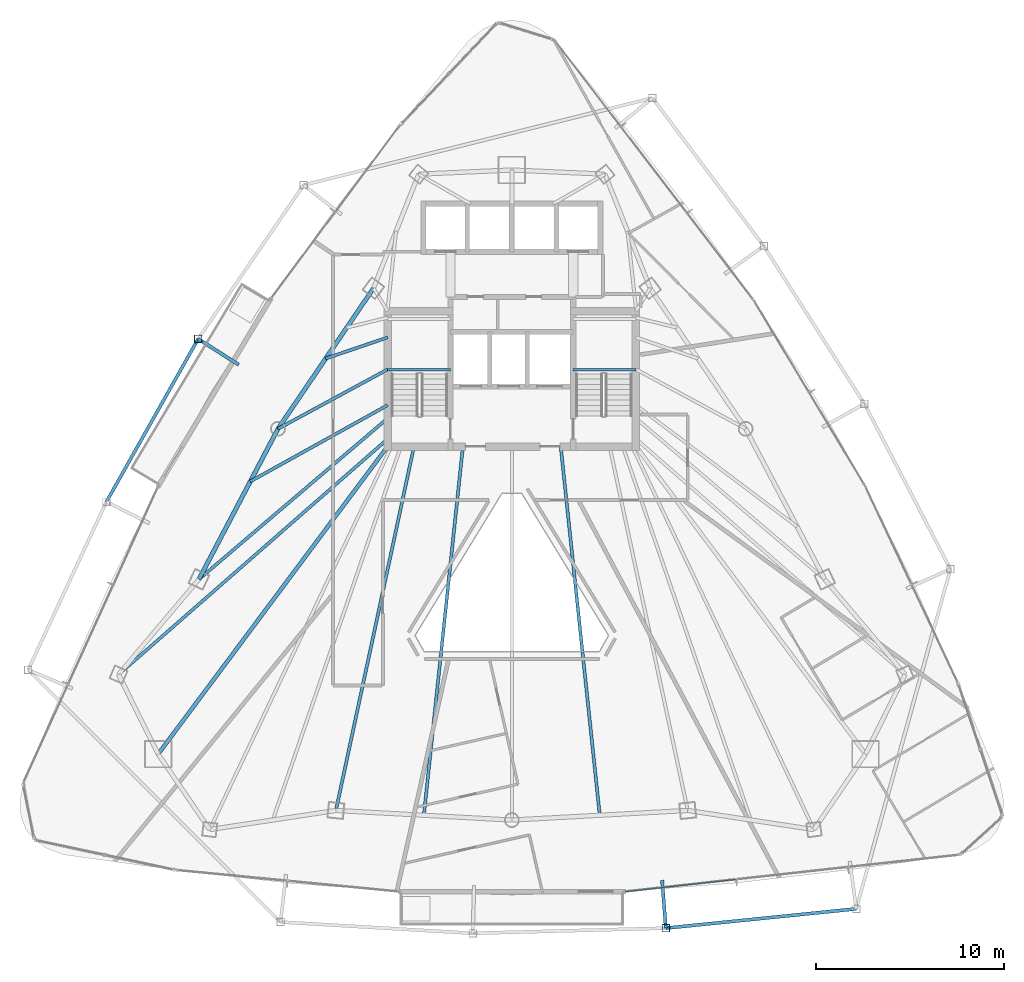
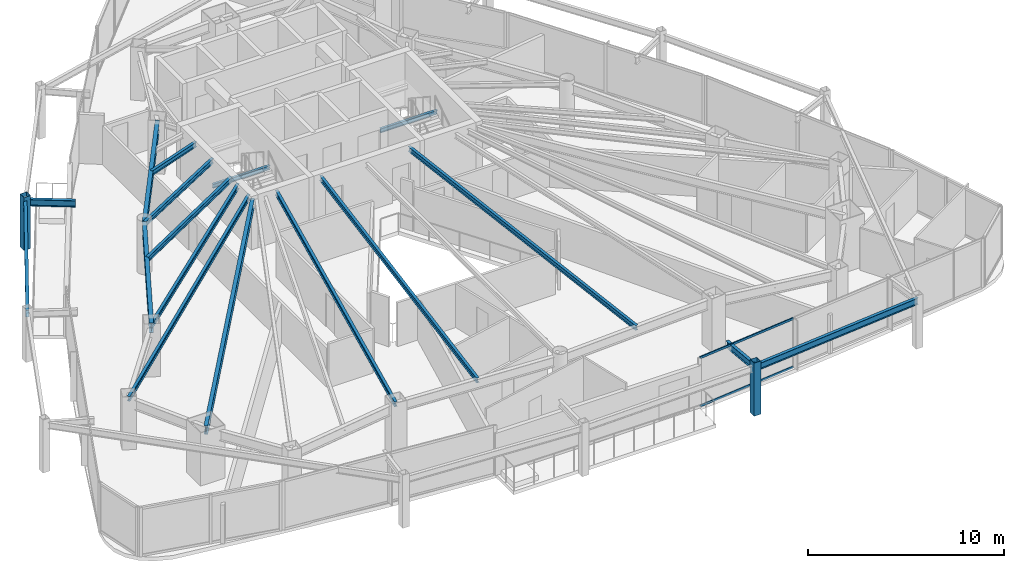
# One storey, part 11 of 33: 17 beams, 4 members, 1 element without a shape of its own.
"""IFC4 building model written with IfcOpenShell, lengths in metres."""

from ifc_helpers import new_model, si_unit, direction, frame, origin, origin_2d, place, context, subcontext, project, spatial, hollow_rectangle, i_section, extrude, material, layer, layer_set, material_profile, profile_set, type_object, element, aggregate, save


model = new_model("IFC4")

# Units and contexts
model_context = context("Model", 3, precision=1e-05, world=origin(), true_north=direction((0.0, 1.0)))
body_context = subcontext(model_context, "Body", "Model", "MODEL_VIEW")
ifc_project = project(units=[si_unit("LENGTHUNIT", "METRE"), si_unit("AREAUNIT", "SQUARE_METRE"), si_unit("VOLUMEUNIT", "CUBIC_METRE"), si_unit("PLANEANGLEUNIT", "RADIAN"), si_unit("MASSUNIT", "GRAM", prefix="KILO")], contexts=[model_context])

# Site, building, storey
site_placement = place(None, origin())
site = spatial("IfcSite", under=ifc_project, at=site_placement, CompositionType="ELEMENT")
building_placement = place(site_placement, origin())
building = spatial("IfcBuilding", under=site, at=building_placement, Name="Orvanel Arch Residences", CompositionType="ELEMENT")
storey_placement = place(building_placement, frame((0.0, 0.0, 116.60009765625)))
storey = spatial("IfcBuildingStorey", under=building, at=storey_placement, Name="L32", CompositionType="ELEMENT", Elevation=116.60009765625)

# Beams
ifc_material_1 = material(Name="Structural steel AS/NZS 3679.1 Grade 300 (300 MPa)", Category="steel")
ifc_material_profile_1 = material_profile(ifc_material_1, i_section(OverallWidth=0.208984375, OverallDepth=0.532958984375, WebThickness=0.01025390625, FlangeThickness=0.015625, at=origin_2d()), Name="530UB92.4")
ifc_profile_set_1 = profile_set([ifc_material_profile_1], Name="Structural steel AS/NZS 3679.1 Grade 300 (300 MPa)")
beam_type_1 = type_object("IfcBeamType", Name="BG-530UB", PredefinedType="BEAM", material=ifc_profile_set_1)
beam_1_placement = place(storey_placement, frame((26.375, 26.675048828125, 2.7939453125), z_axis=(-0.597893733742, -0.801575375839, 0.0), x_axis=(0.801575375839, -0.597893733742, 0.0)))
element("IfcBeam", 1, at=beam_1_placement, inside=storey, type_object=beam_type_1, Name="L32 South-West Radial Girder", PredefinedType="BEAM", context=body_context, shape_type="SweptSolid", body=[
    extrude(i_section(OverallWidth=0.208984375, OverallDepth=0.532958984375, WebThickness=0.01025390625, FlangeThickness=0.015625, at=origin_2d()), origin(), (0.0, 0.0, 1.0), 20.36474609375),
])
ifc_material_profile_2 = material_profile(ifc_material_1, i_section(OverallWidth=0.14599609375, OverallDepth=0.251953125, WebThickness=0.006103515625, FlangeThickness=0.008544921875, at=origin_2d()), Name="250UB31.4")
ifc_profile_set_2 = profile_set([ifc_material_profile_2], Name="Structural steel AS/NZS 3679.1 Grade 300 (300 MPa)")
beam_type_2 = type_object("IfcBeamType", Name="BJ-250UB", PredefinedType="JOIST", material=ifc_profile_set_2)
for number, where, z_axis, x_axis, name in (
    (2, (26.39990234375, 30.780029296875, 1.323974609375), (1.0, 0.0, 0.0), (0.0, 1.0, 0.0), "L32 ST-1 Half-Landing Support Beam 1.1"),
    (3, (36.25, 30.780029296875, 1.323974609375), (1.0, 0.0, 0.0), (0.0, 1.0, 0.0), "L32 ST-2 Half-Landing Support Beam 1.1"),
):
    element("IfcBeam", number, at=place(storey_placement, frame(where, z_axis=z_axis, x_axis=x_axis)), inside=storey, type_object=beam_type_2, Name=name, PredefinedType="JOIST", context=body_context, shape_type="SweptSolid", body=[
        extrude(i_section(OverallWidth=0.14599609375, OverallDepth=0.251953125, WebThickness=0.006103515625, FlangeThickness=0.008544921875, at=origin_2d()), origin(), (0.0, 0.0, 1.0), 3.35009765625),
    ])
ifc_material_profile_3 = material_profile(ifc_material_1, i_section(OverallWidth=0.1650390625, OverallDepth=0.303955078125, WebThickness=0.006103515625, FlangeThickness=0.01025390625, at=origin_2d()), Name="310UB40.4")
ifc_profile_set_3 = profile_set([ifc_material_profile_3], Name="Structural steel AS/NZS 3679.1 Grade 300 (300 MPa)")
beam_type_3 = type_object("IfcBeamType", Name="BJ-310UB", PredefinedType="JOIST", material=ifc_profile_set_3)
beam_2_placement = place(storey_placement, frame((26.39990234375, 30.800048828125, 2.907958984375), z_axis=(-0.87925534649, -0.476350748576, 0.0), x_axis=(0.476350748576, -0.87925534649, 0.0)))
element("IfcBeam", 4, at=beam_2_placement, inside=storey, type_object=beam_type_3, Name="L32 NW Wing Floor Joist", PredefinedType="JOIST", context=body_context, shape_type="SweptSolid", body=[
    extrude(i_section(OverallWidth=0.1650390625, OverallDepth=0.303955078125, WebThickness=0.006103515625, FlangeThickness=0.01025390625, at=origin_2d()), origin(), (0.0, 0.0, 1.0), 6.631591796875),
])
beam_3_placement = place(storey_placement, frame((26.39990234375, 28.199951171875, 2.907958984375), z_axis=(-0.760821315761, -0.648961420644, 0.0), x_axis=(0.648961420644, -0.760821315761, 0.0)))
element("IfcBeam", 5, at=beam_3_placement, inside=storey, type_object=beam_type_3, Name="L32 W Wing Floor Joist", PredefinedType="JOIST", context=body_context, shape_type="SweptSolid", body=[
    extrude(i_section(OverallWidth=0.1650390625, OverallDepth=0.303955078125, WebThickness=0.006103515625, FlangeThickness=0.01025390625, at=origin_2d()), origin(), (0.0, 0.0, 1.0), 13.18701171875),
])
beam_4_placement = place(storey_placement, frame((27.800048828125, 26.699951171875, 2.907958984375), z_axis=(-0.209808012425, -0.977742603103, 0.0), x_axis=(0.977742603103, -0.209808012425, 0.0)))
element("IfcBeam", 6, at=beam_4_placement, inside=storey, type_object=beam_type_3, Name="L32 SW Wing Floor Joist", PredefinedType="JOIST", context=body_context, shape_type="SweptSolid", body=[
    extrude(i_section(OverallWidth=0.1650390625, OverallDepth=0.303955078125, WebThickness=0.006103515625, FlangeThickness=0.01025390625, at=origin_2d()), origin(), (0.0, 0.0, 1.0), 19.785400390625),
])
beam_5_placement = place(storey_placement, frame((26.39990234375, 32.5, 2.907958984375), z_axis=(-0.946441958332, -0.322873999431, 0.0), x_axis=(0.322873999431, -0.946441958332, 0.0)))
element("IfcBeam", 7, at=beam_5_placement, inside=storey, type_object=beam_type_3, Name="L32 WNW Wing Floor Joist", PredefinedType="JOIST", context=body_context, shape_type="SweptSolid", body=[
    extrude(i_section(OverallWidth=0.1650390625, OverallDepth=0.303955078125, WebThickness=0.006103515625, FlangeThickness=0.01025390625, at=origin_2d()), origin(), (0.0, 0.0, 1.0), 3.478271484375),
])
for number, where, z_axis, x_axis, name in (
    (8, (30.39990234375, 26.699951171875, 2.907958984375), (-0.105277340935, -0.994442900063, 0.0), (0.994442900063, -0.105277340935, 0.0), "L32 WSW2 Wing Floor Joist"),
    (9, (35.60009765625, 26.699951171875, 2.907958984375), (0.105277340935, -0.994442900063, 0.0), (0.994442900063, 0.105277340935, 0.0), "L32 ESE2 Wing Floor Joist"),
):
    element("IfcBeam", number, at=place(storey_placement, frame(where, z_axis=z_axis, x_axis=x_axis)), inside=storey, type_object=beam_type_3, Name=name, PredefinedType="JOIST", context=body_context, shape_type="SweptSolid", body=[
        extrude(i_section(OverallWidth=0.1650390625, OverallDepth=0.303955078125, WebThickness=0.006103515625, FlangeThickness=0.01025390625, at=origin_2d()), origin(), (0.0, 0.0, 1.0), 19.70947265625),
    ])
beam_6_placement = place(storey_placement, frame((26.39990234375, 27.10009765625, 2.907958984375), z_axis=(-0.752493154183, -0.658600070534, 0.0), x_axis=(0.658600070534, -0.752493154183, 0.0)))
element("IfcBeam", 10, at=beam_6_placement, inside=storey, type_object=beam_type_3, Name="L32 MW Wing Floor Joist", PredefinedType="JOIST", context=body_context, shape_type="SweptSolid", body=[
    extrude(i_section(OverallWidth=0.1650390625, OverallDepth=0.303955078125, WebThickness=0.006103515625, FlangeThickness=0.01025390625, at=origin_2d()), origin(), (0.0, 0.0, 1.0), 19.010009765625),
])
beam_7_placement = place(storey_placement, frame((26.39990234375, 28.89990234375, 2.907958984375), z_axis=(-0.87404697606, -0.485841418202, 0.0), x_axis=(0.485841418202, -0.87404697606, 0.0)))
element("IfcBeam", 11, at=beam_7_placement, inside=storey, type_object=beam_type_3, Name="L32 CTW Wing Floor Joist", PredefinedType="JOIST", context=body_context, shape_type="SweptSolid", body=[
    extrude(i_section(OverallWidth=0.1650390625, OverallDepth=0.303955078125, WebThickness=0.006103515625, FlangeThickness=0.01025390625, at=origin_2d()), origin(), (0.0, 0.0, 1.0), 8.354248046875),
])
ifc_material_profile_4 = material_profile(ifc_material_1, i_section(OverallWidth=0.177978515625, OverallDepth=0.406005859375, WebThickness=0.0078125, FlangeThickness=0.0126953125, at=origin_2d()), Name="410UB59.7")
ifc_profile_set_4 = profile_set([ifc_material_profile_4], Name="Structural steel AS/NZS 3679.1 Grade 300 (300 MPa)")
beam_type_4 = type_object("IfcBeamType", Name="OB-410UB-EXT", PredefinedType="SPANDREL", material=ifc_profile_set_4)
beam_8_placement = place(storey_placement, frame((18.47705078125, 31.048095703125, 2.85693359375), z_axis=(-0.842745723153, 0.53831184838, 0.0), x_axis=(-0.53831184838, -0.842745723153, 0.0)))
element("IfcBeam", 12, at=beam_8_placement, inside=storey, type_object=beam_type_4, Name="L32 Outer Frame Radial Tie Beam 02", PredefinedType="SPANDREL", context=body_context, shape_type="SweptSolid", body=[
    extrude(i_section(OverallWidth=0.177978515625, OverallDepth=0.406005859375, WebThickness=0.0078125, FlangeThickness=0.0126953125, at=origin_2d()), origin(), (0.0, 0.0, 1.0), 2.55029296875),
])
beam_9_placement = place(storey_placement, frame((16.327880859375, 32.4208984375, 2.85693359375), z_axis=(-0.49060744728, -0.871380704786, 0.0), x_axis=(0.871380704786, -0.49060744728, 0.0)))
element("IfcBeam", 13, at=beam_9_placement, inside=storey, type_object=beam_type_4, Name="L32 Outer Perimeter Floor Ring Beam 02", PredefinedType="SPANDREL", context=body_context, shape_type="SweptSolid", body=[
    extrude(i_section(OverallWidth=0.177978515625, OverallDepth=0.406005859375, WebThickness=0.0078125, FlangeThickness=0.0126953125, at=origin_2d()), origin(), (0.0, 0.0, 1.0), 9.942626953125),
])
beam_10_placement = place(storey_placement, frame((40.989990234375, 3.64111328125, 2.85693359375), z_axis=(0.077274963911, -0.997009819386, 0.0), x_axis=(0.997009819386, 0.077274963911, 0.0)))
element("IfcBeam", 14, at=beam_10_placement, inside=storey, type_object=beam_type_4, Name="L32 Outer Frame Radial Tie Beam 07", PredefinedType="SPANDREL", context=body_context, shape_type="SweptSolid", body=[
    extrude(i_section(OverallWidth=0.177978515625, OverallDepth=0.406005859375, WebThickness=0.0078125, FlangeThickness=0.0126953125, at=origin_2d()), origin(), (0.0, 0.0, 1.0), 2.549560546875),
])
beam_11_placement = place(storey_placement, frame((41.18701171875, 1.09912109375, 2.85693359375), z_axis=(0.994903249647, 0.100834140256, 0.0), x_axis=(-0.100834140256, 0.994903249647, 0.0)))
element("IfcBeam", 15, at=beam_11_placement, inside=storey, type_object=beam_type_4, Name="L32 Outer Perimeter Floor Ring Beam 07", PredefinedType="SPANDREL", context=body_context, shape_type="SweptSolid", body=[
    extrude(i_section(OverallWidth=0.177978515625, OverallDepth=0.406005859375, WebThickness=0.0078125, FlangeThickness=0.0126953125, at=origin_2d()), origin(), (0.0, 0.0, 1.0), 10.173828125),
])
ifc_material_profile_5 = material_profile(ifc_material_1, i_section(OverallWidth=0.22900390625, OverallDepth=0.612060546875, WebThickness=0.011962890625, FlangeThickness=0.01953125, at=origin_2d()), Name="610UB125")
ifc_profile_set_5 = profile_set([ifc_material_profile_5], Name="Structural steel AS/NZS 3679.1 Grade 300 (300 MPa)")
beam_type_5 = type_object("IfcBeamType", Name="SP-610UB", PredefinedType="SPANDREL", material=ifc_profile_set_5)
beam_12_placement = place(storey_placement, frame((25.64794921875, 35.113037109375, 2.75390625), z_axis=(-0.562154793153, -0.827032035978, 0.0), x_axis=(0.827032035978, -0.562154793153, 0.0)))
element("IfcBeam", 16, at=beam_12_placement, inside=storey, type_object=beam_type_5, Name="L32 Perimeter Spandrel Beam 17", PredefinedType="SPANDREL", context=body_context, shape_type="SweptSolid", body=[
    extrude(i_section(OverallWidth=0.22900390625, OverallDepth=0.612060546875, WebThickness=0.011962890625, FlangeThickness=0.01953125, at=origin_2d()), origin(), (0.0, 0.0, 1.0), 9.03466796875),
])
beam_13_placement = place(storey_placement, frame((20.569091796875, 27.64111328125, 2.75390625), z_axis=(-0.465064762793, -0.885276660942, 0.0), x_axis=(0.885276660942, -0.465064762793, 0.0)))
element("IfcBeam", 17, at=beam_13_placement, inside=storey, type_object=beam_type_5, Name="L32 Perimeter Spandrel Beam 18", PredefinedType="SPANDREL", context=body_context, shape_type="SweptSolid", body=[
    extrude(i_section(OverallWidth=0.22900390625, OverallDepth=0.612060546875, WebThickness=0.011962890625, FlangeThickness=0.01953125, at=origin_2d()), origin(), (0.0, 0.0, 1.0), 9.03564453125),
])

# Members
ifc_material_2 = material(Name="Structural steel AS/NZS 1163 C450L0 (Grade 450)", Category="steel")
ifc_material_profile_6 = material_profile(ifc_material_2, hollow_rectangle(XDim=0.39990234375, YDim=0.39990234375, WallThickness=0.01611328125, at=origin_2d()), Name="SHS400x400x16")
ifc_profile_set_6 = profile_set([ifc_material_profile_6], Name="Structural steel AS/NZS 1163 C450L0 (Grade 450)")
member_type_1 = type_object("IfcMemberType", Name="ST-400SHS-EXT", PredefinedType="STRUT", material=ifc_profile_set_6)
for number, where, z_axis, x_axis, name in (
    (18, (16.327880859375, 32.4208984375, 0.0), (0.0, 0.0, 1.0), (1.0, 0.0, 0.0), "L32 Outer Perimeter Frame Post 02"),
    (19, (41.18701171875, 1.09912109375, 0.0), (0.0, 0.0, 1.0), (1.0, 0.0, 0.0), "L32 Outer Perimeter Frame Post 07"),
):
    element("IfcMember", number, at=place(storey_placement, frame(where, z_axis=z_axis, x_axis=x_axis)), inside=storey, type_object=member_type_1, Name=name, PredefinedType="STRUT", context=body_context, shape_type="SweptSolid", body=[
        extrude(hollow_rectangle(XDim=0.39990234375, YDim=0.39990234375, WallThickness=0.01611328125, at=origin_2d()), origin(), (0.0, 0.0, 1.0), 3.2998046875),
    ])

# Curtain wall, members
ifc_material_3 = material(Name="Bronze-anodised aluminium AA6063-T6", Category="aluminium")
ifc_layer = layer(ifc_material_3, 0.179931640625)
ifc_layer_set = layer_set([ifc_layer], Name="Bronze-anodised aluminium AA6063-T6")
curtain_wall_type = type_object("IfcCurtainWallType", Name="CW3-MID-SYS", PredefinedType="NOTDEFINED", material=ifc_layer_set)
curtain_wall_placement = place(storey_placement, origin())
curtain_wall = element("IfcCurtainWall", 20, at=curtain_wall_placement, inside=storey, type_object=curtain_wall_type, Name="L32 CW3-MID-SYS Unitised Curtain Wall", PredefinedType="NOTDEFINED")
ifc_material_profile_7 = material_profile(ifc_material_3, hollow_rectangle(XDim=0.06005859375, YDim=0.135009765625, WallThickness=0.00390625, at=origin_2d()), Name="ALU135x60x4")
ifc_profile_set_7 = profile_set([ifc_material_profile_7], Name="Bronze-anodised aluminium AA6063-T6")
member_type_2 = type_object("IfcMemberType", Name="TRN-135x60", PredefinedType="USERDEFINED", material=ifc_profile_set_7)
member_1_placement = place(storey_placement, frame((39.048583984375, 3.042724609375, 0.02978515625), z_axis=(0.993998710271, 0.109391791187, 0.0), x_axis=(-0.109391791187, 0.993998710271, 0.0)))
member_1 = element("IfcMember", 21, at=member_1_placement, type_object=member_type_2, Name="CW-S3 transom 1.1", ObjectType="TRANSOM", PredefinedType="USERDEFINED", context=body_context, shape_type="SweptSolid", body=[
    extrude(hollow_rectangle(XDim=0.06005859375, YDim=0.135009765625, WallThickness=0.00390625, at=origin_2d()), origin(), (0.0, 0.0, 1.0), 5.876220703125),
])
member_2_placement = place(storey_placement, frame((39.048583984375, 3.042724609375, 3.02978515625), z_axis=(0.993998710271, 0.109391791187, 0.0), x_axis=(-0.109391791187, 0.993998710271, 0.0)))
member_2 = element("IfcMember", 22, at=member_2_placement, type_object=member_type_2, Name="CW-S3 transom 1.2", ObjectType="TRANSOM", PredefinedType="USERDEFINED", context=body_context, shape_type="SweptSolid", body=[
    extrude(hollow_rectangle(XDim=0.06005859375, YDim=0.135009765625, WallThickness=0.00390625, at=origin_2d()), origin(), (0.0, 0.0, 1.0), 5.876220703125),
])
aggregate(curtain_wall, [member_1, member_2])

save(model, "model.ifc")
